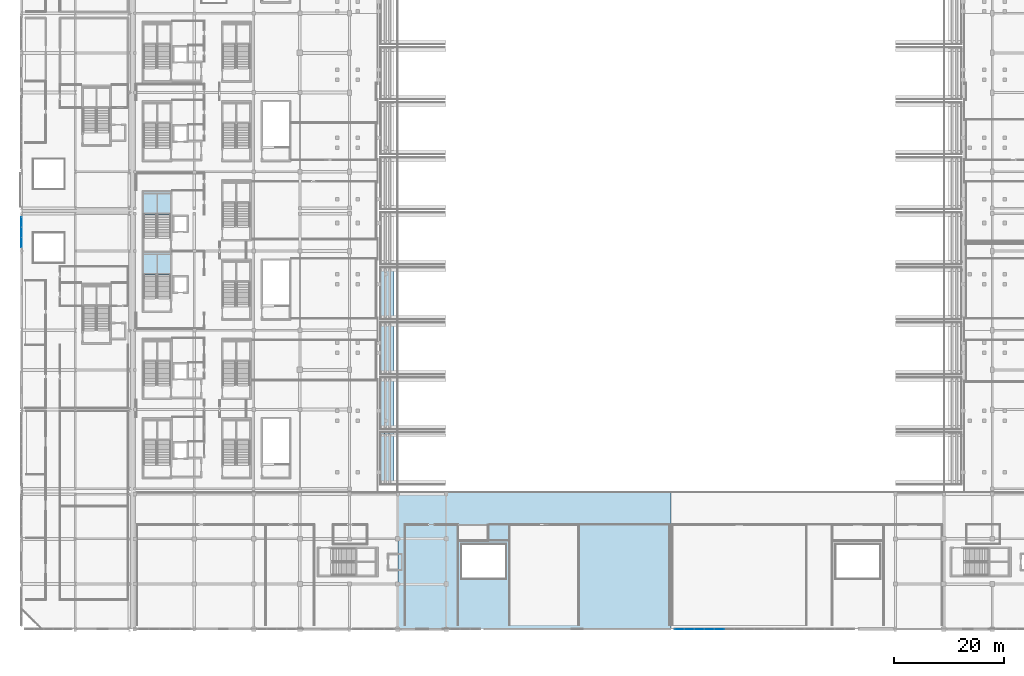
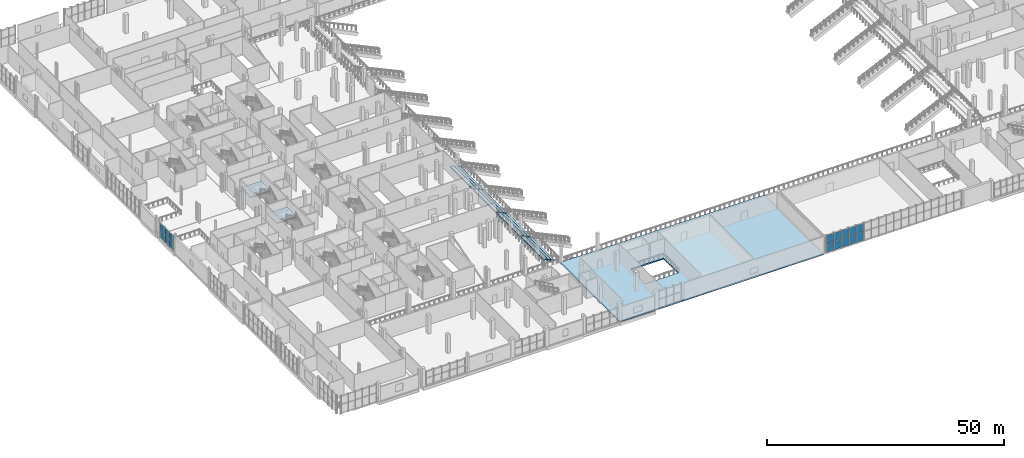
# One storey, part 61 of 129: 16 plates, 15 slabs, 4 elements without a shape of their own.
"""IFC4 building model written with IfcOpenShell, lengths in metres."""

from ifc_helpers import new_model, si_unit, direction, frame, origin, origin_2d, place, context, subcontext, project, spatial, polyline, rectangle, outline, extrude, material, layer, layer_set, type_object, element, aggregate, save


model = new_model("IFC4")

# Units and contexts
model_context = context("Model", 3, precision=1e-05, world=origin(), true_north=direction((0.0, 1.0)))
body_context = subcontext(model_context, "Body", "Model", "MODEL_VIEW")
ifc_project = project(units=[si_unit("LENGTHUNIT", "METRE"), si_unit("AREAUNIT", "SQUARE_METRE"), si_unit("VOLUMEUNIT", "CUBIC_METRE"), si_unit("PLANEANGLEUNIT", "RADIAN"), si_unit("MASSUNIT", "GRAM", prefix="KILO")], contexts=[model_context])

# Site, building, storey
site_placement = place(None, origin())
site = spatial("IfcSite", under=ifc_project, at=site_placement, CompositionType="ELEMENT")
building_placement = place(site_placement, origin())
building = spatial("IfcBuilding", under=site, at=building_placement, Name="Koshinbarg Plaza Stadium", CompositionType="ELEMENT")
storey_placement = place(building_placement, frame((0.0, 0.0, 5.39990234375)))
storey = spatial("IfcBuildingStorey", under=building, at=storey_placement, Name="L01", CompositionType="ELEMENT", Elevation=5.39990234375)

# Curtain wall, plates
ifc_material_1 = material(Name="Thermally broken anodised aluminium and low-E double glazing", Category="aluminium")
curtain_wall_type_1 = type_object("IfcCurtainWallType", Name="CW-SYS-06", PredefinedType="NOTDEFINED", material=ifc_material_1)
curtain_wall_1_placement = place(storey_placement, origin())
curtain_wall_1 = element("IfcCurtainWall", 1, at=curtain_wall_1_placement, inside=storey, type_object=curtain_wall_type_1, Name="L01 unitised curtain wall CW-L01-005", PredefinedType="NOTDEFINED")
ifc_material_2 = material(Name="Acoustic solar-control double glazing unit", Category="glass")
ifc_layer_1 = layer(ifc_material_2, 0.031982421875)
ifc_layer_set_1 = layer_set([ifc_layer_1], Name="Acoustic solar-control double glazing unit")
plate_type = type_object("IfcPlateType", Name="CW-PNL-32", PredefinedType="CURTAIN_PANEL", material=ifc_layer_set_1)
plate_1_placement = place(storey_placement, frame((4.0, 70.26171875, 0.06005859375), z_axis=(0.0, 0.0, 1.0), x_axis=(0.0, 1.0, 0.0)))
plate_1 = element("IfcPlate", 2, at=plate_1_placement, type_object=plate_type, Name="CW06 panel 1.1", PredefinedType="CURTAIN_PANEL", context=body_context, shape_type="SweptSolid", body=[
    extrude(rectangle(XDim=1.763427734375, YDim=0.031982421875, at=origin_2d()), origin(), (0.0, 0.0, 1.0), 1.87548828125),
])
plate_2_placement = place(storey_placement, frame((4.0, 70.26171875, 1.99560546875), z_axis=(0.0, 0.0, 1.0), x_axis=(0.0, 1.0, 0.0)))
plate_2 = element("IfcPlate", 3, at=plate_2_placement, type_object=plate_type, Name="CW06 panel 1.2", PredefinedType="CURTAIN_PANEL", context=body_context, shape_type="SweptSolid", body=[
    extrude(rectangle(XDim=1.763427734375, YDim=0.031982421875, at=origin_2d()), origin(), (0.0, 0.0, 1.0), 1.724365234375),
])
plate_3_placement = place(storey_placement, frame((4.0, 72.10009765625, 0.06005859375), z_axis=(0.0, 0.0, 1.0), x_axis=(0.0, 1.0, 0.0)))
plate_3 = element("IfcPlate", 4, at=plate_3_placement, type_object=plate_type, Name="CW06 panel 2.1", PredefinedType="CURTAIN_PANEL", context=body_context, shape_type="SweptSolid", body=[
    extrude(rectangle(XDim=1.793212890625, YDim=0.031982421875, at=origin_2d()), origin(), (0.0, 0.0, 1.0), 1.87548828125),
])
plate_4_placement = place(storey_placement, frame((4.0, 72.10009765625, 1.99560546875), z_axis=(0.0, 0.0, 1.0), x_axis=(0.0, 1.0, 0.0)))
plate_4 = element("IfcPlate", 5, at=plate_4_placement, type_object=plate_type, Name="CW06 panel 2.2", PredefinedType="CURTAIN_PANEL", context=body_context, shape_type="SweptSolid", body=[
    extrude(rectangle(XDim=1.793212890625, YDim=0.031982421875, at=origin_2d()), origin(), (0.0, 0.0, 1.0), 1.724365234375),
])
plate_5_placement = place(storey_placement, frame((4.0, 73.938232421875, 0.06005859375), z_axis=(0.0, 0.0, 1.0), x_axis=(0.0, 1.0, 0.0)))
plate_5 = element("IfcPlate", 6, at=plate_5_placement, type_object=plate_type, Name="CW06 panel 3.1", PredefinedType="CURTAIN_PANEL", context=body_context, shape_type="SweptSolid", body=[
    extrude(rectangle(XDim=1.763427734375, YDim=0.031982421875, at=origin_2d()), origin(), (0.0, 0.0, 1.0), 1.87548828125),
])
plate_6_placement = place(storey_placement, frame((4.0, 73.938232421875, 1.99560546875), z_axis=(0.0, 0.0, 1.0), x_axis=(0.0, 1.0, 0.0)))
plate_6 = element("IfcPlate", 7, at=plate_6_placement, type_object=plate_type, Name="CW06 panel 3.2", PredefinedType="CURTAIN_PANEL", context=body_context, shape_type="SweptSolid", body=[
    extrude(rectangle(XDim=1.763427734375, YDim=0.031982421875, at=origin_2d()), origin(), (0.0, 0.0, 1.0), 1.724365234375),
])
aggregate(curtain_wall_1, [plate_1, plate_2, plate_3, plate_4, plate_5, plate_6])

curtain_wall_type_2 = type_object("IfcCurtainWallType", Name="CW-SYS-16", PredefinedType="NOTDEFINED", material=ifc_material_1)
curtain_wall_2_placement = place(storey_placement, origin())
curtain_wall_2 = element("IfcCurtainWall", 8, at=curtain_wall_2_placement, inside=storey, type_object=curtain_wall_type_2, Name="L01 unitised curtain wall CW-L01-031", PredefinedType="NOTDEFINED")
plate_7_placement = place(storey_placement, frame((130.81005859375, 0.0, 0.06005859375), z_axis=(0.0, 0.0, 1.0), x_axis=(-1.0, 0.0, 0.0)))
plate_7 = element("IfcPlate", 9, at=plate_7_placement, type_object=plate_type, Name="CW16 panel 14.1", PredefinedType="CURTAIN_PANEL", context=body_context, shape_type="SweptSolid", body=[
    extrude(rectangle(XDim=1.760009765625, YDim=0.031982421875, at=origin_2d()), origin(), (0.0, 0.0, 1.0), 2.239501953125),
])
plate_8_placement = place(storey_placement, frame((130.81005859375, 0.0, 2.35986328125), z_axis=(0.0, 0.0, 1.0), x_axis=(-1.0, 0.0, 0.0)))
plate_8 = element("IfcPlate", 10, at=plate_8_placement, type_object=plate_type, Name="CW16 panel 14.2", PredefinedType="CURTAIN_PANEL", context=body_context, shape_type="SweptSolid", body=[
    extrude(rectangle(XDim=1.760009765625, YDim=0.031982421875, at=origin_2d()), origin(), (0.0, 0.0, 1.0), 2.060302734375),
])
plate_9_placement = place(storey_placement, frame((128.989990234375, 0.0, 0.06005859375), z_axis=(0.0, 0.0, 1.0), x_axis=(-1.0, 0.0, 0.0)))
plate_9 = element("IfcPlate", 11, at=plate_9_placement, type_object=plate_type, Name="CW16 panel 15.1", PredefinedType="CURTAIN_PANEL", context=body_context, shape_type="SweptSolid", body=[
    extrude(rectangle(XDim=1.760009765625, YDim=0.031982421875, at=origin_2d()), origin(), (0.0, 0.0, 1.0), 2.239501953125),
])
plate_10_placement = place(storey_placement, frame((128.989990234375, 0.0, 2.35986328125), z_axis=(0.0, 0.0, 1.0), x_axis=(-1.0, 0.0, 0.0)))
plate_10 = element("IfcPlate", 12, at=plate_10_placement, type_object=plate_type, Name="CW16 panel 15.2", PredefinedType="CURTAIN_PANEL", context=body_context, shape_type="SweptSolid", body=[
    extrude(rectangle(XDim=1.760009765625, YDim=0.031982421875, at=origin_2d()), origin(), (0.0, 0.0, 1.0), 2.060302734375),
])
plate_11_placement = place(storey_placement, frame((127.169921875, 0.0, 0.06005859375), z_axis=(0.0, 0.0, 1.0), x_axis=(-1.0, 0.0, 0.0)))
plate_11 = element("IfcPlate", 13, at=plate_11_placement, type_object=plate_type, Name="CW16 panel 16.1", PredefinedType="CURTAIN_PANEL", context=body_context, shape_type="SweptSolid", body=[
    extrude(rectangle(XDim=1.760009765625, YDim=0.031982421875, at=origin_2d()), origin(), (0.0, 0.0, 1.0), 2.239501953125),
])
plate_12_placement = place(storey_placement, frame((127.169921875, 0.0, 2.35986328125), z_axis=(0.0, 0.0, 1.0), x_axis=(-1.0, 0.0, 0.0)))
plate_12 = element("IfcPlate", 14, at=plate_12_placement, type_object=plate_type, Name="CW16 panel 16.2", PredefinedType="CURTAIN_PANEL", context=body_context, shape_type="SweptSolid", body=[
    extrude(rectangle(XDim=1.760009765625, YDim=0.031982421875, at=origin_2d()), origin(), (0.0, 0.0, 1.0), 2.060302734375),
])
plate_13_placement = place(storey_placement, frame((125.35009765625, 0.0, 0.06005859375), z_axis=(0.0, 0.0, 1.0), x_axis=(-1.0, 0.0, 0.0)))
plate_13 = element("IfcPlate", 15, at=plate_13_placement, type_object=plate_type, Name="CW16 panel 17.1", PredefinedType="CURTAIN_PANEL", context=body_context, shape_type="SweptSolid", body=[
    extrude(rectangle(XDim=1.760009765625, YDim=0.031982421875, at=origin_2d()), origin(), (0.0, 0.0, 1.0), 2.239501953125),
])
plate_14_placement = place(storey_placement, frame((125.35009765625, 0.0, 2.35986328125), z_axis=(0.0, 0.0, 1.0), x_axis=(-1.0, 0.0, 0.0)))
plate_14 = element("IfcPlate", 16, at=plate_14_placement, type_object=plate_type, Name="CW16 panel 17.2", PredefinedType="CURTAIN_PANEL", context=body_context, shape_type="SweptSolid", body=[
    extrude(rectangle(XDim=1.760009765625, YDim=0.031982421875, at=origin_2d()), origin(), (0.0, 0.0, 1.0), 2.060302734375),
])
plate_15_placement = place(storey_placement, frame((123.544921875, 0.0, 0.06005859375), z_axis=(0.0, 0.0, 1.0), x_axis=(-1.0, 0.0, 0.0)))
plate_15 = element("IfcPlate", 17, at=plate_15_placement, type_object=plate_type, Name="CW16 panel 18.1", PredefinedType="CURTAIN_PANEL", context=body_context, shape_type="SweptSolid", body=[
    extrude(rectangle(XDim=1.72998046875, YDim=0.031982421875, at=origin_2d()), origin(), (0.0, 0.0, 1.0), 2.239501953125),
])
plate_16_placement = place(storey_placement, frame((123.544921875, 0.0, 2.35986328125), z_axis=(0.0, 0.0, 1.0), x_axis=(-1.0, 0.0, 0.0)))
plate_16 = element("IfcPlate", 18, at=plate_16_placement, type_object=plate_type, Name="CW16 panel 18.2", PredefinedType="CURTAIN_PANEL", context=body_context, shape_type="SweptSolid", body=[
    extrude(rectangle(XDim=1.72998046875, YDim=0.031982421875, at=origin_2d()), origin(), (0.0, 0.0, 1.0), 2.060302734375),
])
aggregate(curtain_wall_2, [plate_7, plate_8, plate_9, plate_10, plate_11, plate_12, plate_13, plate_14, plate_15, plate_16])

# Slab
ifc_material_3 = material(Name="Concrete C35/45", Category="concrete")
ifc_layer_2 = layer(ifc_material_3, 0.320068359375)
ifc_layer_set_2 = layer_set([ifc_layer_2], Name="Concrete C35/45")
slab_type_1 = type_object("IfcSlabType", Name="SL-FLR-320", PredefinedType="FLOOR", material=ifc_layer_set_2)
slab_1_placement = place(storey_placement, frame((0.0, 0.0, -0.31982421875)))
element("IfcSlab", 19, at=slab_1_placement, inside=storey, type_object=slab_type_1, Name="L01 V4 structural slab 15", PredefinedType="FLOOR", context=body_context, shape_type="SweptSolid", body=[
    extrude(outline(polyline([(72.39990234375, 0.0), (122.0, 0.0), (122.0, 24.955078125), (72.39990234375, 24.955078125), (72.39990234375, 0.0)]), holes=[polyline([(84.0, 9.199951171875), (92.0, 9.199951171875), (92.0, 15.39990234375), (84.0, 15.39990234375), (84.0, 9.199951171875)])]), origin(), (0.0, 0.0, 1.0), 0.31982421875),
])

# Stair, slab
stair_type = type_object("IfcStairType", Name="ST-CORE-48", PredefinedType="HALF_TURN_STAIR", material=ifc_material_3)
stair_1_placement = place(storey_placement, origin())
stair_1 = element("IfcStair", 20, at=stair_1_placement, inside=storey, type_object=stair_type, Name="L01 Protected Exit Stair C03", PredefinedType="HALF_TURN_STAIR")
ifc_layer_3 = layer(ifc_material_3, 0.320068359375)
ifc_layer_set_3 = layer_set([ifc_layer_3], Name="Concrete C35/45")
slab_type_2 = type_object("IfcSlabType", Name="SL-STLAND-280", PredefinedType="LANDING", material=ifc_layer_set_3)
slab_2_placement = place(storey_placement, frame((0.0, 0.0, 2.080078125)))
slab_2 = element("IfcSlab", 21, at=slab_2_placement, type_object=slab_type_2, Name="L01 Protected Exit Stair C03 landing 014", PredefinedType="LANDING", context=body_context, shape_type="SweptSolid", body=[
    extrude(outline(polyline([(31.070068359375, 64.360107421875), (31.070068359375, 68.39990234375), (26.199951171875, 68.39990234375), (26.199951171875, 64.360107421875), (31.070068359375, 64.360107421875)])), origin(), (0.0, 0.0, 1.0), 0.320068359375),
])
aggregate(stair_1, [slab_2])

stair_2_placement = place(storey_placement, origin())
stair_2 = element("IfcStair", 22, at=stair_2_placement, inside=storey, type_object=stair_type, Name="L01 Protected Exit Stair C04", PredefinedType="HALF_TURN_STAIR")
slab_3_placement = place(storey_placement, frame((0.0, 0.0, 2.080078125)))
slab_3 = element("IfcSlab", 23, at=slab_3_placement, type_object=slab_type_2, Name="L01 Protected Exit Stair C04 landing 020", PredefinedType="LANDING", context=body_context, shape_type="SweptSolid", body=[
    extrude(outline(polyline([(31.070068359375, 75.360107421875), (31.070068359375, 79.39990234375), (26.199951171875, 79.39990234375), (26.199951171875, 75.360107421875), (31.070068359375, 75.360107421875)])), origin(), (0.0, 0.0, 1.0), 0.320068359375),
])
aggregate(stair_2, [slab_3])

# Slabs
ifc_material_4 = material(Name="Precast concrete C40/50", Category="concrete")
ifc_layer_4 = layer(ifc_material_4, 0.219970703125)
ifc_layer_set_4 = layer_set([ifc_layer_4], Name="Precast concrete C40/50")
slab_type_3 = type_object("IfcSlabType", Name="SL-TIER-LT", PredefinedType="USERDEFINED", material=ifc_layer_set_4)
slab_4_placement = place(storey_placement, frame((0.0, 0.0, 0.02001953125)))
element("IfcSlab", 24, at=slab_4_placement, inside=storey, type_object=slab_type_3, Name="Stand lower seating tier LT-W01 row 12", ObjectType="SEATING TIER", PredefinedType="USERDEFINED", context=body_context, shape_type="SweptSolid", body=[
    extrude(outline(polyline([(70.800048828125, 26.199951171875), (71.64990234375, 26.199951171875), (71.64990234375, 35.800048828125), (70.800048828125, 35.800048828125), (70.800048828125, 26.199951171875)])), origin(), (0.0, 0.0, 1.0), 0.219970703125),
])
slab_5_placement = place(storey_placement, frame((0.0, 0.0, 0.440185546875)))
element("IfcSlab", 25, at=slab_5_placement, inside=storey, type_object=slab_type_3, Name="Stand lower seating tier LT-W01 row 13", ObjectType="SEATING TIER", PredefinedType="USERDEFINED", context=body_context, shape_type="SweptSolid", body=[
    extrude(outline(polyline([(69.949951171875, 26.199951171875), (70.800048828125, 26.199951171875), (70.800048828125, 35.449951171875), (70.449951171875, 35.800048828125), (69.949951171875, 35.800048828125), (69.949951171875, 26.199951171875)])), origin(), (0.0, 0.0, 1.0), 0.219970703125),
])
slab_6_placement = place(storey_placement, frame((0.0, 0.0, 0.860107421875)))
element("IfcSlab", 26, at=slab_6_placement, inside=storey, type_object=slab_type_3, Name="Stand lower seating tier LT-W01 row 14", ObjectType="SEATING TIER", PredefinedType="USERDEFINED", context=body_context, shape_type="SweptSolid", body=[
    extrude(outline(polyline([(69.10009765625, 26.199951171875), (69.949951171875, 26.199951171875), (69.949951171875, 35.800048828125), (69.10009765625, 35.800048828125), (69.10009765625, 26.199951171875)])), origin(), (0.0, 0.0, 1.0), 0.219970703125),
])
slab_7_placement = place(storey_placement, frame((0.0, 0.0, 0.02001953125)))
element("IfcSlab", 27, at=slab_7_placement, inside=storey, type_object=slab_type_3, Name="Stand lower seating tier LT-W02 row 12", ObjectType="SEATING TIER", PredefinedType="USERDEFINED", context=body_context, shape_type="SweptSolid", body=[
    extrude(outline(polyline([(70.800048828125, 36.199951171875), (71.64990234375, 36.199951171875), (71.64990234375, 45.800048828125), (70.800048828125, 45.800048828125), (70.800048828125, 36.199951171875)])), origin(), (0.0, 0.0, 1.0), 0.219970703125),
])
slab_8_placement = place(storey_placement, frame((0.0, 0.0, 0.440185546875)))
element("IfcSlab", 28, at=slab_8_placement, inside=storey, type_object=slab_type_3, Name="Stand lower seating tier LT-W02 row 13", ObjectType="SEATING TIER", PredefinedType="USERDEFINED", context=body_context, shape_type="SweptSolid", body=[
    extrude(outline(polyline([(69.949951171875, 36.199951171875), (70.800048828125, 36.199951171875), (70.800048828125, 45.800048828125), (69.949951171875, 45.800048828125), (69.949951171875, 36.199951171875)])), origin(), (0.0, 0.0, 1.0), 0.219970703125),
])
slab_9_placement = place(storey_placement, frame((0.0, 0.0, 0.860107421875)))
element("IfcSlab", 29, at=slab_9_placement, inside=storey, type_object=slab_type_3, Name="Stand lower seating tier LT-W02 row 14", ObjectType="SEATING TIER", PredefinedType="USERDEFINED", context=body_context, shape_type="SweptSolid", body=[
    extrude(outline(polyline([(69.10009765625, 36.199951171875), (69.949951171875, 36.199951171875), (69.949951171875, 45.800048828125), (69.10009765625, 45.800048828125), (69.10009765625, 36.199951171875)])), origin(), (0.0, 0.0, 1.0), 0.219970703125),
])
slab_10_placement = place(storey_placement, frame((0.0, 0.0, 0.02001953125)))
element("IfcSlab", 30, at=slab_10_placement, inside=storey, type_object=slab_type_3, Name="Stand lower seating tier LT-W03 row 12", ObjectType="SEATING TIER", PredefinedType="USERDEFINED", context=body_context, shape_type="SweptSolid", body=[
    extrude(outline(polyline([(70.800048828125, 46.199951171875), (71.64990234375, 46.199951171875), (71.64990234375, 55.800048828125), (70.800048828125, 55.800048828125), (70.800048828125, 46.199951171875)])), origin(), (0.0, 0.0, 1.0), 0.219970703125),
])
slab_11_placement = place(storey_placement, frame((0.0, 0.0, 0.440185546875)))
element("IfcSlab", 31, at=slab_11_placement, inside=storey, type_object=slab_type_3, Name="Stand lower seating tier LT-W03 row 13", ObjectType="SEATING TIER", PredefinedType="USERDEFINED", context=body_context, shape_type="SweptSolid", body=[
    extrude(outline(polyline([(69.949951171875, 46.199951171875), (70.800048828125, 46.199951171875), (70.800048828125, 55.800048828125), (69.949951171875, 55.800048828125), (69.949951171875, 46.199951171875)])), origin(), (0.0, 0.0, 1.0), 0.219970703125),
])
slab_12_placement = place(storey_placement, frame((0.0, 0.0, 0.860107421875)))
element("IfcSlab", 32, at=slab_12_placement, inside=storey, type_object=slab_type_3, Name="Stand lower seating tier LT-W03 row 14", ObjectType="SEATING TIER", PredefinedType="USERDEFINED", context=body_context, shape_type="SweptSolid", body=[
    extrude(outline(polyline([(69.10009765625, 46.199951171875), (69.949951171875, 46.199951171875), (69.949951171875, 55.800048828125), (69.10009765625, 55.800048828125), (69.10009765625, 46.199951171875)])), origin(), (0.0, 0.0, 1.0), 0.219970703125),
])
slab_13_placement = place(storey_placement, frame((0.0, 0.0, 0.02001953125)))
element("IfcSlab", 33, at=slab_13_placement, inside=storey, type_object=slab_type_3, Name="Stand lower seating tier LT-W04 row 12", ObjectType="SEATING TIER", PredefinedType="USERDEFINED", context=body_context, shape_type="SweptSolid", body=[
    extrude(outline(polyline([(70.800048828125, 56.199951171875), (71.64990234375, 56.199951171875), (71.64990234375, 65.800048828125), (70.800048828125, 65.800048828125), (70.800048828125, 56.199951171875)])), origin(), (0.0, 0.0, 1.0), 0.219970703125),
])
slab_14_placement = place(storey_placement, frame((0.0, 0.0, 0.440185546875)))
element("IfcSlab", 34, at=slab_14_placement, inside=storey, type_object=slab_type_3, Name="Stand lower seating tier LT-W04 row 13", ObjectType="SEATING TIER", PredefinedType="USERDEFINED", context=body_context, shape_type="SweptSolid", body=[
    extrude(outline(polyline([(69.949951171875, 56.199951171875), (70.800048828125, 56.199951171875), (70.800048828125, 65.800048828125), (69.949951171875, 65.800048828125), (69.949951171875, 56.199951171875)])), origin(), (0.0, 0.0, 1.0), 0.219970703125),
])
slab_15_placement = place(storey_placement, frame((0.0, 0.0, 0.860107421875)))
element("IfcSlab", 35, at=slab_15_placement, inside=storey, type_object=slab_type_3, Name="Stand lower seating tier LT-W04 row 14", ObjectType="SEATING TIER", PredefinedType="USERDEFINED", context=body_context, shape_type="SweptSolid", body=[
    extrude(outline(polyline([(69.10009765625, 56.199951171875), (69.949951171875, 56.199951171875), (69.949951171875, 65.800048828125), (69.10009765625, 65.800048828125), (69.10009765625, 56.199951171875)])), origin(), (0.0, 0.0, 1.0), 0.219970703125),
])

save(model, "model.ifc")
